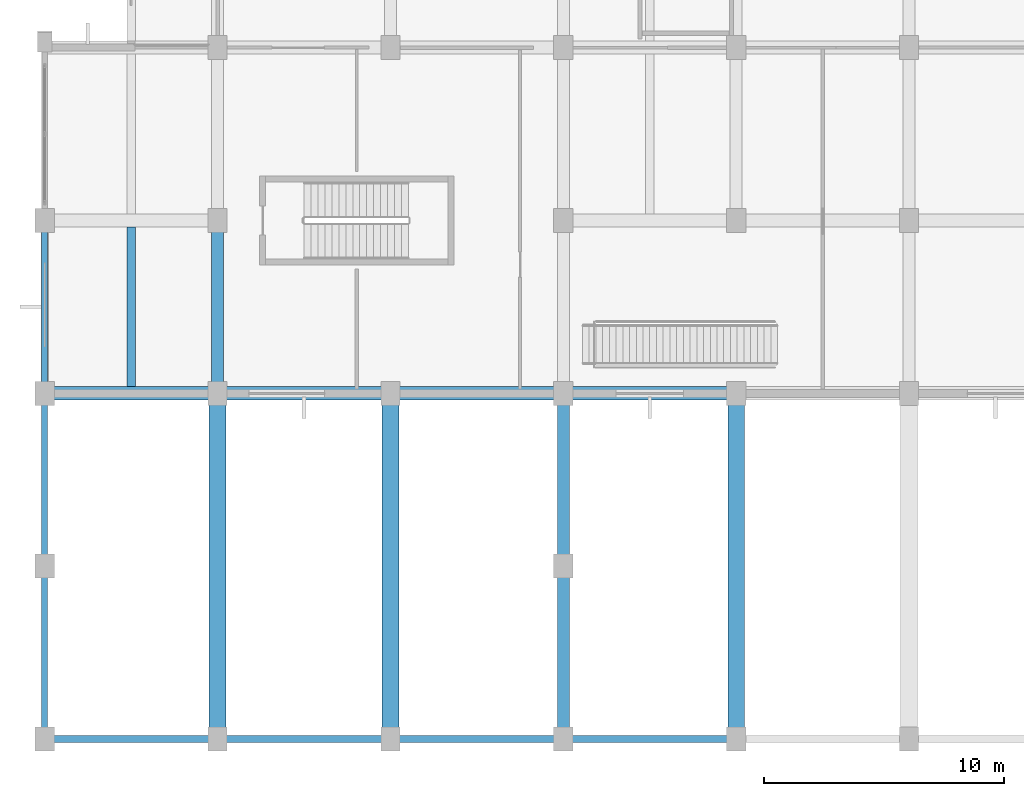
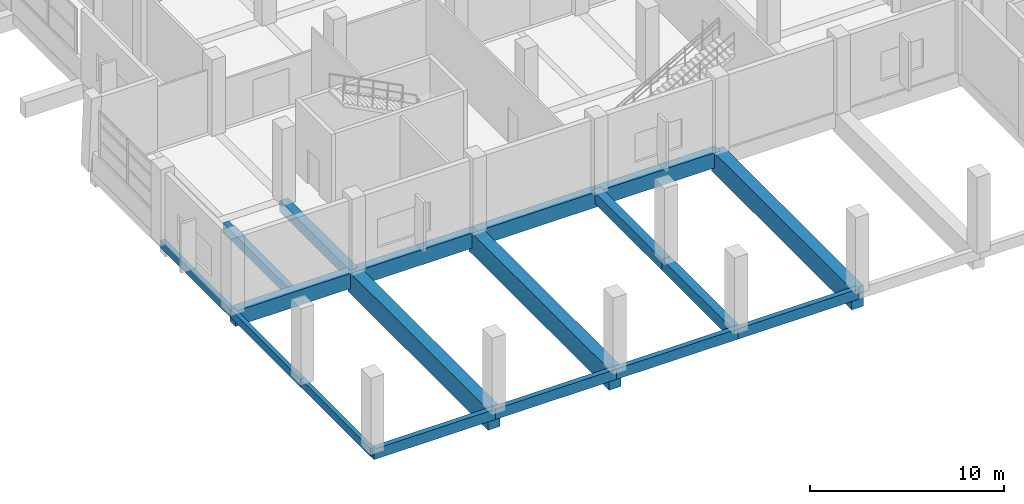
# One storey, part 3 of 181: 18 beams.
"""IFC4 building model written with IfcOpenShell, lengths in metres."""

from ifc_helpers import new_model, si_unit, direction, frame, origin, origin_2d, place, context, subcontext, project, spatial, rectangle, extrude, material, material_profile, profile_set, type_object, element, save


model = new_model("IFC4")

# Units and contexts
model_context = context("Model", 3, precision=1e-05, world=origin(), true_north=direction((0.0, 1.0)))
body_context = subcontext(model_context, "Body", "Model", "MODEL_VIEW")
ifc_project = project(units=[si_unit("LENGTHUNIT", "METRE"), si_unit("AREAUNIT", "SQUARE_METRE"), si_unit("VOLUMEUNIT", "CUBIC_METRE"), si_unit("PLANEANGLEUNIT", "RADIAN"), si_unit("MASSUNIT", "GRAM", prefix="KILO")], contexts=[model_context])

# Site, building, storey
site_placement = place(None, origin())
site = spatial("IfcSite", under=ifc_project, at=site_placement, CompositionType="ELEMENT")
building_placement = place(site_placement, origin())
building = spatial("IfcBuilding", under=site, at=building_placement, Name="Seraya Terrace Polytechnic", CompositionType="ELEMENT")
storey_placement = place(building_placement, frame((0.0, 0.0, 4.800048828125)))
storey = spatial("IfcBuildingStorey", under=building, at=storey_placement, Name="L01", CompositionType="ELEMENT", Elevation=4.800048828125)

# Beams
ifc_material = material(Name="Concrete C40/50", Category="concrete")
ifc_material_profile_1 = material_profile(ifc_material, rectangle(XDim=0.699951171875, YDim=1.300048828125, at=origin_2d()), Name="RC 700x1300")
ifc_profile_set_1 = profile_set([ifc_material_profile_1], Name="Concrete C40/50")
beam_type_1 = type_object("IfcBeamType", Name="BG-01", PredefinedType="USERDEFINED", material=ifc_profile_set_1)
for number, where, z_axis, x_axis, name in (
    (1, (7.199951171875, 0.0, -0.650146484375), (0.0, 1.0, 0.0), (-1.0, 0.0, 0.0), "Beam BG-01 L01 Y (7.2, 0.0..14.4)"),
    (2, (14.39990234375, 0.0, -0.650146484375), (0.0, 1.0, 0.0), (-1.0, 0.0, 0.0), "Beam BG-01 L01 Y (14.4, 0.0..14.4)"),
    (3, (28.800048828125, 0.0, -0.650146484375), (0.0, 1.0, 0.0), (-1.0, 0.0, 0.0), "Beam BG-01 L01 Y (28.8, 0.0..14.4)"),
):
    element("IfcBeam", number, at=place(storey_placement, frame(where, z_axis=z_axis, x_axis=x_axis)), inside=storey, type_object=beam_type_1, Name=name, ObjectType="GIRDER", PredefinedType="USERDEFINED", context=body_context, shape_type="SweptSolid", body=[
        extrude(rectangle(XDim=0.699951171875, YDim=1.300048828125, at=origin_2d()), origin(), (0.0, 0.0, 1.0), 14.39990234375),
    ])
ifc_material_profile_2 = material_profile(ifc_material, rectangle(XDim=0.550048828125, YDim=0.949951171875, at=origin_2d()), Name="RC 550x950")
ifc_profile_set_2 = profile_set([ifc_material_profile_2], Name="Concrete C40/50")
beam_type_2 = type_object("IfcBeamType", Name="BM-03", PredefinedType="BEAM", material=ifc_profile_set_2)
for number, where, z_axis, x_axis, name in (
    (4, (0.0, 14.39990234375, -0.47509765625), (1.0, 0.0, 0.0), (0.0, 1.0, 0.0), "Beam BM-03 L01 X (0.0..7.2, 14.4)"),
    (5, (7.199951171875, 14.39990234375, -0.47509765625), (1.0, 0.0, 0.0), (0.0, 1.0, 0.0), "Beam BM-03 L01 X (7.2..14.4, 14.4)"),
):
    element("IfcBeam", number, at=place(storey_placement, frame(where, z_axis=z_axis, x_axis=x_axis)), inside=storey, type_object=beam_type_2, Name=name, PredefinedType="BEAM", context=body_context, shape_type="SweptSolid", body=[
        extrude(rectangle(XDim=0.550048828125, YDim=0.949951171875, at=origin_2d()), origin(), (0.0, 0.0, 1.0), 7.199951171875),
    ])
beam_1_placement = place(storey_placement, frame((14.39990234375, 14.39990234375, -0.47509765625), z_axis=(1.0, 0.0, 0.0), x_axis=(0.0, 1.0, 0.0)))
element("IfcBeam", 6, at=beam_1_placement, inside=storey, type_object=beam_type_2, Name="Beam BM-03 L01 X (14.4..21.6, 14.4)", PredefinedType="BEAM", context=body_context, shape_type="SweptSolid", body=[
    extrude(rectangle(XDim=0.550048828125, YDim=0.949951171875, at=origin_2d()), origin(), (0.0, 0.0, 1.0), 7.2001953125),
])
beam_2_placement = place(storey_placement, frame((21.60009765625, 14.39990234375, -0.47509765625), z_axis=(1.0, 0.0, 0.0), x_axis=(0.0, 1.0, 0.0)))
element("IfcBeam", 7, at=beam_2_placement, inside=storey, type_object=beam_type_2, Name="Beam BM-03 L01 X (21.6..28.8, 14.4)", PredefinedType="BEAM", context=body_context, shape_type="SweptSolid", body=[
    extrude(rectangle(XDim=0.550048828125, YDim=0.949951171875, at=origin_2d()), origin(), (0.0, 0.0, 1.0), 7.199951171875),
])
ifc_material_profile_3 = material_profile(ifc_material, rectangle(XDim=0.5, YDim=0.699951171875, at=origin_2d()), Name="RC 500x700")
ifc_profile_set_3 = profile_set([ifc_material_profile_3], Name="Concrete C40/50")
beam_type_3 = type_object("IfcBeamType", Name="BM-07", PredefinedType="BEAM", material=ifc_profile_set_3)
beam_3_placement = place(storey_placement, frame((7.199951171875, 14.39990234375, -0.35009765625), z_axis=(0.0, 1.0, 0.0), x_axis=(-1.0, 0.0, 0.0)))
element("IfcBeam", 8, at=beam_3_placement, inside=storey, type_object=beam_type_3, Name="Beam BM-07 L01 Y (7.2, 14.4..21.6)", PredefinedType="BEAM", context=body_context, shape_type="SweptSolid", body=[
    extrude(rectangle(XDim=0.5, YDim=0.699951171875, at=origin_2d()), origin(), (0.0, 0.0, 1.0), 7.2001953125),
])
for number, where, z_axis, x_axis, name in (
    (9, (21.60009765625, 0.0, -0.35009765625), (0.0, 1.0, 0.0), (-1.0, 0.0, 0.0), "Beam BM-07 L01 Y (21.6, 0.0..7.2)"),
    (10, (21.60009765625, 7.199951171875, -0.35009765625), (0.0, 1.0, 0.0), (-1.0, 0.0, 0.0), "Beam BM-07 L01 Y (21.6, 7.2..14.4)"),
):
    element("IfcBeam", number, at=place(storey_placement, frame(where, z_axis=z_axis, x_axis=x_axis)), inside=storey, type_object=beam_type_3, Name=name, PredefinedType="BEAM", context=body_context, shape_type="SweptSolid", body=[
        extrude(rectangle(XDim=0.5, YDim=0.699951171875, at=origin_2d()), origin(), (0.0, 0.0, 1.0), 7.199951171875),
    ])
ifc_material_profile_4 = material_profile(ifc_material, rectangle(XDim=0.35009765625, YDim=0.60009765625, at=origin_2d()), Name="RC 350x600")
ifc_profile_set_4 = profile_set([ifc_material_profile_4], Name="Concrete C40/50")
beam_type_4 = type_object("IfcBeamType", Name="JS-02", PredefinedType="JOIST", material=ifc_profile_set_4)
beam_4_placement = place(storey_placement, frame((3.60009765625, 14.675048828125, -0.300048828125), z_axis=(0.0, 1.0, 0.0), x_axis=(-1.0, 0.0, 0.0)))
element("IfcBeam", 11, at=beam_4_placement, inside=storey, type_object=beam_type_4, Name="Secondary joist JS-02 L01", PredefinedType="JOIST", context=body_context, shape_type="SweptSolid", body=[
    extrude(rectangle(XDim=0.35009765625, YDim=0.60009765625, at=origin_2d()), origin(), (0.0, 0.0, 1.0), 6.64990234375),
])
ifc_material_profile_5 = material_profile(ifc_material, rectangle(XDim=0.300048828125, YDim=0.64990234375, at=origin_2d()), Name="RC 300x650")
ifc_profile_set_5 = profile_set([ifc_material_profile_5], Name="Concrete C40/50")
beam_type_5 = type_object("IfcBeamType", Name="SP-01", PredefinedType="SPANDREL", material=ifc_profile_set_5)
for number, where, z_axis, x_axis, name in (
    (12, (0.0, 0.0, -0.324951171875), (1.0, 0.0, 0.0), (0.0, 1.0, 0.0), "Beam SP-01 L01 X (0.0..7.2, 0.0)"),
    (13, (7.199951171875, 0.0, -0.324951171875), (1.0, 0.0, 0.0), (0.0, 1.0, 0.0), "Beam SP-01 L01 X (7.2..14.4, 0.0)"),
):
    element("IfcBeam", number, at=place(storey_placement, frame(where, z_axis=z_axis, x_axis=x_axis)), inside=storey, type_object=beam_type_5, Name=name, PredefinedType="SPANDREL", context=body_context, shape_type="SweptSolid", body=[
        extrude(rectangle(XDim=0.300048828125, YDim=0.64990234375, at=origin_2d()), origin(), (0.0, 0.0, 1.0), 7.199951171875),
    ])
beam_5_placement = place(storey_placement, frame((14.39990234375, 0.0, -0.324951171875), z_axis=(1.0, 0.0, 0.0), x_axis=(0.0, 1.0, 0.0)))
element("IfcBeam", 14, at=beam_5_placement, inside=storey, type_object=beam_type_5, Name="Beam SP-01 L01 X (14.4..21.6, 0.0)", PredefinedType="SPANDREL", context=body_context, shape_type="SweptSolid", body=[
    extrude(rectangle(XDim=0.300048828125, YDim=0.64990234375, at=origin_2d()), origin(), (0.0, 0.0, 1.0), 7.2001953125),
])
beam_6_placement = place(storey_placement, frame((21.60009765625, 0.0, -0.324951171875), z_axis=(1.0, 0.0, 0.0), x_axis=(0.0, 1.0, 0.0)))
element("IfcBeam", 15, at=beam_6_placement, inside=storey, type_object=beam_type_5, Name="Beam SP-01 L01 X (21.6..28.8, 0.0)", PredefinedType="SPANDREL", context=body_context, shape_type="SweptSolid", body=[
    extrude(rectangle(XDim=0.300048828125, YDim=0.64990234375, at=origin_2d()), origin(), (0.0, 0.0, 1.0), 7.199951171875),
])
ifc_material_profile_6 = material_profile(ifc_material, rectangle(XDim=0.25, YDim=0.5, at=origin_2d()), Name="RC 250x500")
ifc_profile_set_6 = profile_set([ifc_material_profile_6], Name="Concrete C40/50")
beam_type_6 = type_object("IfcBeamType", Name="SP-03", PredefinedType="SPANDREL", material=ifc_profile_set_6)
for number, where, z_axis, x_axis, name in (
    (16, (0.0, 0.0, -0.25), (0.0, 1.0, 0.0), (-1.0, 0.0, 0.0), "Beam SP-03 L01 Y (0.0, 0.0..7.2)"),
    (17, (0.0, 7.199951171875, -0.25), (0.0, 1.0, 0.0), (-1.0, 0.0, 0.0), "Beam SP-03 L01 Y (0.0, 7.2..14.4)"),
):
    element("IfcBeam", number, at=place(storey_placement, frame(where, z_axis=z_axis, x_axis=x_axis)), inside=storey, type_object=beam_type_6, Name=name, PredefinedType="SPANDREL", context=body_context, shape_type="SweptSolid", body=[
        extrude(rectangle(XDim=0.25, YDim=0.5, at=origin_2d()), origin(), (0.0, 0.0, 1.0), 7.199951171875),
    ])
beam_7_placement = place(storey_placement, frame((0.0, 14.39990234375, -0.25), z_axis=(0.0, 1.0, 0.0), x_axis=(-1.0, 0.0, 0.0)))
element("IfcBeam", 18, at=beam_7_placement, inside=storey, type_object=beam_type_6, Name="Beam SP-03 L01 Y (0.0, 14.4..21.6)", PredefinedType="SPANDREL", context=body_context, shape_type="SweptSolid", body=[
    extrude(rectangle(XDim=0.25, YDim=0.5, at=origin_2d()), origin(), (0.0, 0.0, 1.0), 7.2001953125),
])

save(model, "model.ifc")
